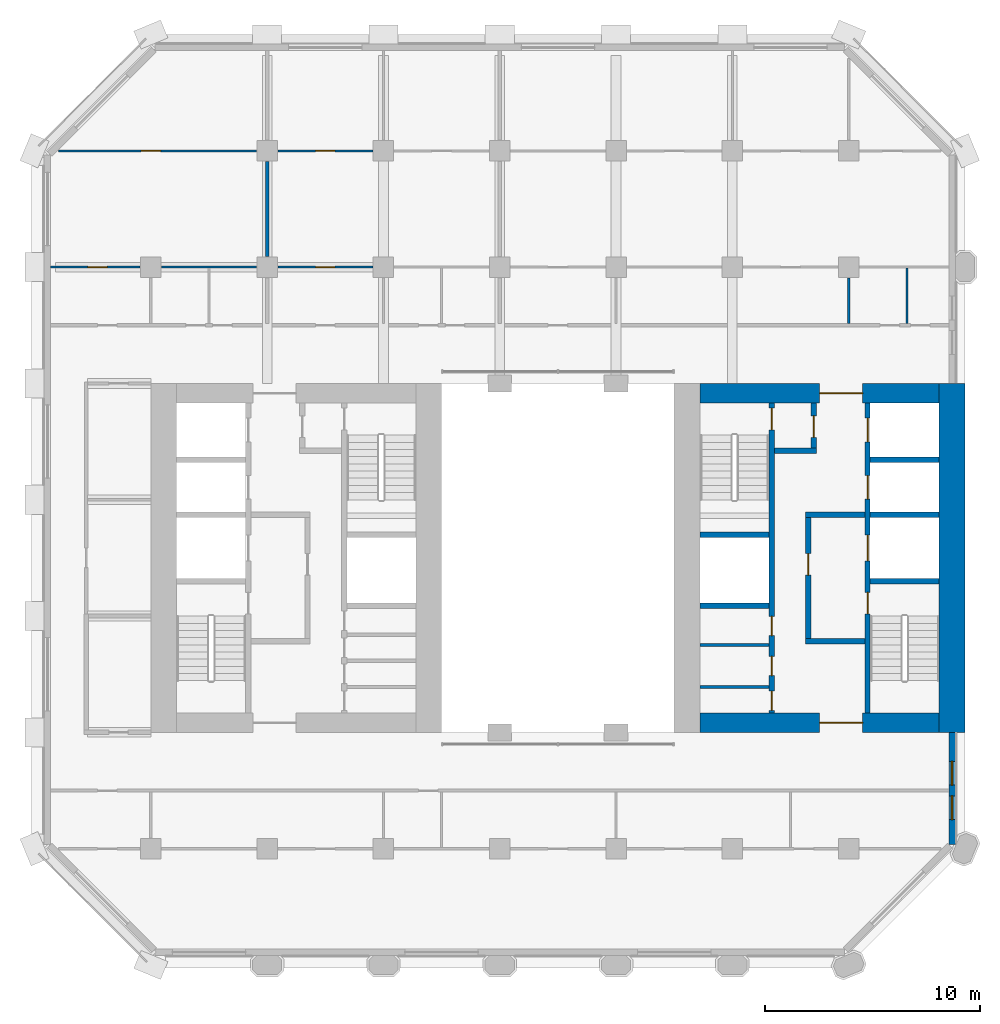
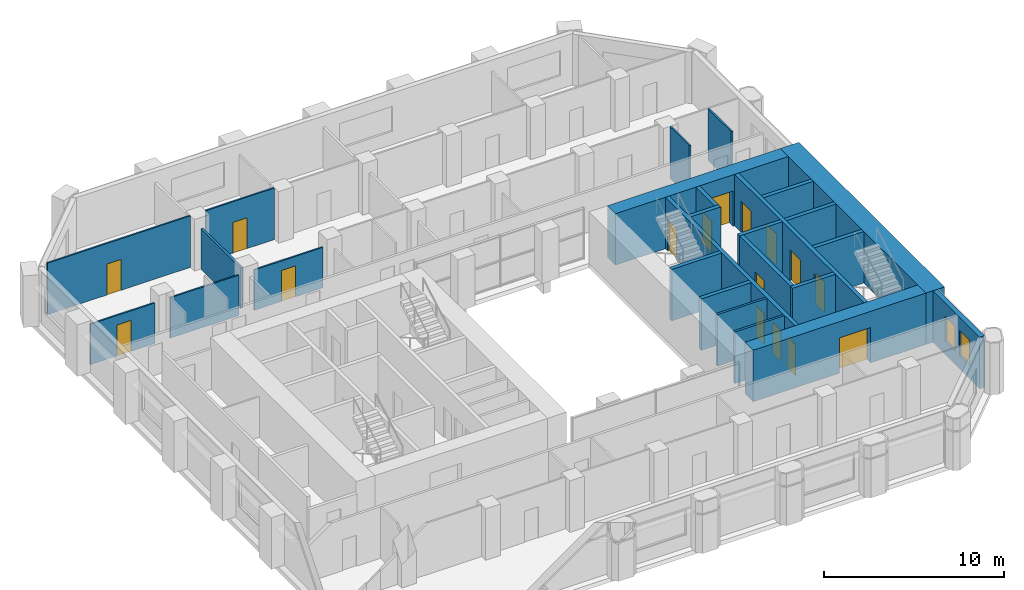
# One storey, part 8 of 13: 26 walls, 16 doors, 2 windows, 18 openings.
"""IFC4 building model written with IfcOpenShell, lengths in metres."""

from ifc_helpers import new_model, si_unit, direction, frame, frame_2d, origin, place, context, subcontext, project, spatial, rectangle, extrude, material, layer, layer_set, type_object, element, fill, save


model = new_model("IFC4")

# Units and contexts
model_context = context("Model", 3, precision=1e-05, world=origin(), true_north=direction((0.0, 1.0)))
body_context = subcontext(model_context, "Body", "Model", "MODEL_VIEW")
ifc_project = project(units=[si_unit("LENGTHUNIT", "METRE"), si_unit("AREAUNIT", "SQUARE_METRE"), si_unit("VOLUMEUNIT", "CUBIC_METRE"), si_unit("PLANEANGLEUNIT", "RADIAN"), si_unit("MASSUNIT", "GRAM", prefix="KILO")], contexts=[model_context])

# Site, building, storey
site_placement = place(None, origin())
site = spatial("IfcSite", under=ifc_project, at=site_placement, CompositionType="ELEMENT")
building_placement = place(site_placement, origin())
building = spatial("IfcBuilding", under=site, at=building_placement, Name="Tabaq Tower and Sports Hall", CompositionType="ELEMENT")
storey_placement = place(building_placement, frame((0.0, 0.0, 103.0)))
storey = spatial("IfcBuildingStorey", under=building, at=storey_placement, Name="L24", CompositionType="ELEMENT", Elevation=103.0)

# Walls
ifc_material_1 = material(Name="Blockwork", Category="masonry")
ifc_layer_1 = layer(ifc_material_1, 0.14990234375)
ifc_layer_set_1 = layer_set([ifc_layer_1], Name="Core room partition 150 Blockwork")
wall_type_1 = type_object("IfcWallType", Name="Core room partition 150 Blockwork", PredefinedType="PARTITIONING", material=ifc_layer_set_1)
for number, where, z_axis, x_axis, name in (
    (1, (30.89990234375, 18.31201171875, 0.0), (0.0, 0.0, 1.0), (1.0, 0.0, 0.0), "Core room partition E L24"),
    (2, (30.89990234375, 20.251953125, 0.0), (0.0, 0.0, 1.0), (1.0, 0.0, 0.0), "Core room partition E L24"),
):
    element("IfcWall", number, at=place(storey_placement, frame(where, z_axis=z_axis, x_axis=x_axis)), inside=storey, type_object=wall_type_1, Name=name, PredefinedType="PARTITIONING", context=body_context, shape_type="SweptSolid", body=[
        extrude(rectangle(XDim=3.2001953125, YDim=0.14990234375, at=frame_2d((1.60009765625, 0.0))), origin(), (0.0, 0.0, 1.0), 3.5),
    ])
ifc_material_2 = material(Name="Concrete C60/75", Category="concrete")
ifc_layer_2 = layer(ifc_material_2, 1.199951171875)
ifc_layer_set_2 = layer_set([ifc_layer_2], Name="Core wall 1200 Concrete C60/75")
wall_type_2 = type_object("IfcWallType", Name="Core wall 1200 Concrete C60/75", PredefinedType="SOLIDWALL", material=ifc_layer_set_2)
wall_1_placement = place(storey_placement, frame((42.60009765625, 32.39990234375, 0.0), z_axis=(0.0, 0.0, 1.0), x_axis=(0.0, -1.0, 0.0)))
element("IfcWall", 3, at=wall_1_placement, inside=storey, type_object=wall_type_2, Name="Core wall E L24", PredefinedType="SOLIDWALL", context=body_context, shape_type="SweptSolid", body=[
    extrude(rectangle(XDim=16.199951171875, YDim=1.199951171875, at=frame_2d((8.10009765625, 0.0))), origin(), (0.0, 0.0, 1.0), 3.5),
])

# Wall, opening, door
ifc_material_3 = material(Name="Concrete C60/75", Category="concrete")
ifc_layer_3 = layer(ifc_material_3, 0.89990234375)
ifc_layer_set_3 = layer_set([ifc_layer_3], Name="Core wall 900 Concrete C60/75")
wall_type_3 = type_object("IfcWallType", Name="Core wall 900 Concrete C60/75", PredefinedType="SOLIDWALL", material=ifc_layer_set_3)
wall_2_placement = place(storey_placement, frame((42.0, 16.64990234375, 0.0), z_axis=(0.0, 0.0, 1.0), x_axis=(-1.0, 0.0, 0.0)))
wall_2 = element("IfcWall", 4, at=wall_2_placement, inside=storey, type_object=wall_type_3, Name="Core wall E L24", PredefinedType="SOLIDWALL", context=body_context, shape_type="SweptSolid", body=[
    extrude(rectangle(XDim=11.10009765625, YDim=0.89990234375, at=frame_2d((5.550048828125, 0.0))), origin(), (0.0, 0.0, 1.0), 3.5),
])
opening_1_placement = place(wall_2_placement, frame((3.550048828125, 0.0, 0.0)))
opening_1 = element("IfcOpeningElement", 5, at=opening_1_placement, cuts=wall_2, Name="Opening PD-EL24-01", PredefinedType="OPENING", context=body_context, shape_type="SweptSolid", body=[
    extrude(rectangle(XDim=2.0, YDim=2.39990234375, at=frame_2d((1.0, 1.199951171875))), frame((0.0, 0.449951171875, 0.0), z_axis=(0.0, -1.0, 0.0), x_axis=(1.0, 0.0, 0.0)), (0.0, 0.0, 1.0), 0.89990234375),
])
ifc_material_4 = material(Name="Steel fire door", Category="steel")
door_type_1 = type_object("IfcDoorType", Name="Core entrance door 2000", OperationType="DOUBLE_DOOR_SINGLE_SWING", PredefinedType="DOOR", material=ifc_material_4)
door_1_placement = place(opening_1_placement, origin())
door_1 = element("IfcDoor", 6, at=door_1_placement, inside=storey, type_object=door_type_1, Name="Core entrance south E L24", OperationType="DOUBLE_DOOR_SINGLE_SWING", OverallHeight=2.39990234375, OverallWidth=2.0, PredefinedType="DOOR", context=body_context, shape_type="SweptSolid", body=[
    extrude(rectangle(XDim=2.0, YDim=2.39990234375, at=frame_2d((1.0, 1.199951171875))), frame((0.0, 0.02490234375, 0.0), z_axis=(0.0, -1.0, 0.0), x_axis=(1.0, 0.0, 0.0)), (0.0, 0.0, 1.0), 0.050048828125),
])
fill(opening_1, door_1)

wall_3_placement = place(storey_placement, frame((30.89990234375, 31.949951171875, 0.0), z_axis=(0.0, 0.0, 1.0), x_axis=(1.0, 0.0, 0.0)))
wall_3 = element("IfcWall", 7, at=wall_3_placement, inside=storey, type_object=wall_type_3, Name="Core wall E L24", PredefinedType="SOLIDWALL", context=body_context, shape_type="SweptSolid", body=[
    extrude(rectangle(XDim=11.10009765625, YDim=0.89990234375, at=frame_2d((5.550048828125, 0.0))), origin(), (0.0, 0.0, 1.0), 3.5),
])
opening_2_placement = place(wall_3_placement, frame((5.550048828125, 0.0, 0.0)))
opening_2 = element("IfcOpeningElement", 8, at=opening_2_placement, cuts=wall_3, Name="Opening PD-EL24-02", PredefinedType="OPENING", context=body_context, shape_type="SweptSolid", body=[
    extrude(rectangle(XDim=2.0, YDim=2.39990234375, at=frame_2d((1.0, 1.199951171875))), frame((0.0, 0.449951171875, 0.0), z_axis=(0.0, -1.0, 0.0), x_axis=(1.0, 0.0, 0.0)), (0.0, 0.0, 1.0), 0.89990234375),
])
door_2_placement = place(opening_2_placement, origin())
door_2 = element("IfcDoor", 9, at=door_2_placement, inside=storey, type_object=door_type_1, Name="Core entrance north E L24", OperationType="DOUBLE_DOOR_SINGLE_SWING", OverallHeight=2.39990234375, OverallWidth=2.0, PredefinedType="DOOR", context=body_context, shape_type="SweptSolid", body=[
    extrude(rectangle(XDim=2.0, YDim=2.39990234375, at=frame_2d((1.0, 1.199951171875))), frame((0.0, 0.02490234375, 0.0), z_axis=(0.0, -1.0, 0.0), x_axis=(1.0, 0.0, 0.0)), (0.0, 0.0, 1.0), 0.050048828125),
])
fill(opening_2, door_2)

ifc_material_5 = material(Name="Gypsum board on steel studs", Category="steel")
ifc_layer_4 = layer(ifc_material_5, 0.10009765625)
ifc_layer_set_4 = layer_set([ifc_layer_4], Name="Partition 100 Gypsum board")
wall_type_4 = type_object("IfcWallType", Name="Partition 100 Gypsum board", PredefinedType="PARTITIONING", material=ifc_layer_set_4)
wall_4_placement = place(storey_placement, frame((4.905029296875, 37.800048828125, 0.0), z_axis=(0.0, 0.0, 1.0), x_axis=(-1.0, 0.0, 0.0)))
wall_4 = element("IfcWall", 10, at=wall_4_placement, inside=storey, type_object=wall_type_4, Name="Partition wall L24", PredefinedType="PARTITIONING", context=body_context, shape_type="SweptSolid", body=[
    extrude(rectangle(XDim=4.154052734375, YDim=0.10009765625, at=frame_2d((2.0771484375, 0.0))), origin(), (0.0, 0.0, 1.0), 2.75),
])
opening_3_placement = place(wall_4_placement, frame((1.530029296875, 0.0, 0.0)))
opening_3 = element("IfcOpeningElement", 11, at=opening_3_placement, cuts=wall_4, Name="Opening L24-026", PredefinedType="OPENING", context=body_context, shape_type="SweptSolid", body=[
    extrude(rectangle(XDim=0.89990234375, YDim=2.10009765625, at=frame_2d((0.449951171875, 1.050048828125))), frame((0.0, 0.050048828125, 0.0), z_axis=(0.0, -1.0, 0.0), x_axis=(1.0, 0.0, 0.0)), (0.0, 0.0, 1.0), 0.10009765625),
])
ifc_material_6 = material(Name="Timber leaf in steel frame", Category="steel")
door_type_2 = type_object("IfcDoorType", Name="Internal door 900 right hand", OperationType="SINGLE_SWING_RIGHT", PredefinedType="DOOR", material=ifc_material_6)
door_3_placement = place(opening_3_placement, origin())
door_3 = element("IfcDoor", 12, at=door_3_placement, inside=storey, type_object=door_type_2, Name="Internal door L24-026", OperationType="SINGLE_SWING_RIGHT", OverallHeight=2.10009765625, OverallWidth=0.89990234375, PredefinedType="DOOR", context=body_context, shape_type="SweptSolid", body=[
    extrude(rectangle(XDim=0.89990234375, YDim=2.10009765625, at=frame_2d((0.449951171875, 1.050048828125))), frame((0.0, 0.02490234375, 0.0), z_axis=(0.0, -1.0, 0.0), x_axis=(1.0, 0.0, 0.0)), (0.0, 0.0, 1.0), 0.050048828125),
])
fill(opening_3, door_3)

# Wall
wall_5_placement = place(storey_placement, frame((10.304931640625, 37.800048828125, 0.0), z_axis=(0.0, 0.0, 1.0), x_axis=(-1.0, 0.0, 0.0)))
element("IfcWall", 13, at=wall_5_placement, inside=storey, type_object=wall_type_4, Name="Partition wall L24", PredefinedType="PARTITIONING", context=body_context, shape_type="SweptSolid", body=[
    extrude(rectangle(XDim=4.409912109375, YDim=0.10009765625, at=frame_2d((2.205078125, 0.0))), origin(), (0.0, 0.0, 1.0), 2.75),
])

# Wall, opening, door
wall_6_placement = place(storey_placement, frame((10.304931640625, 43.199951171875, 0.0), z_axis=(0.0, 0.0, 1.0), x_axis=(-1.0, 0.0, 0.0)))
wall_6 = element("IfcWall", 14, at=wall_6_placement, inside=storey, type_object=wall_type_4, Name="Partition wall L24", PredefinedType="PARTITIONING", context=body_context, shape_type="SweptSolid", body=[
    extrude(rectangle(XDim=9.19287109375, YDim=0.10009765625, at=frame_2d((4.596435546875, 0.0))), origin(), (0.0, 0.0, 1.0), 3.5),
])
opening_4_placement = place(wall_6_placement, frame((4.455078125, 0.0, 0.0)))
opening_4 = element("IfcOpeningElement", 15, at=opening_4_placement, cuts=wall_6, Name="Opening L24-011", PredefinedType="OPENING", context=body_context, shape_type="SweptSolid", body=[
    extrude(rectangle(XDim=0.89990234375, YDim=2.10009765625, at=frame_2d((0.449951171875, 1.050048828125))), frame((0.0, 0.050048828125, 0.0), z_axis=(0.0, -1.0, 0.0), x_axis=(1.0, 0.0, 0.0)), (0.0, 0.0, 1.0), 0.10009765625),
])
ifc_material_7 = material(Name="Timber leaf in steel frame", Category="steel")
door_type_3 = type_object("IfcDoorType", Name="Internal door 900 left hand", OperationType="SINGLE_SWING_LEFT", PredefinedType="DOOR", material=ifc_material_7)
door_4_placement = place(opening_4_placement, origin())
door_4 = element("IfcDoor", 16, at=door_4_placement, inside=storey, type_object=door_type_3, Name="Internal door L24-011", OperationType="SINGLE_SWING_LEFT", OverallHeight=2.10009765625, OverallWidth=0.89990234375, PredefinedType="DOOR", context=body_context, shape_type="SweptSolid", body=[
    extrude(rectangle(XDim=0.89990234375, YDim=2.10009765625, at=frame_2d((0.449951171875, 1.050048828125))), frame((0.0, 0.02490234375, 0.0), z_axis=(0.0, -1.0, 0.0), x_axis=(1.0, 0.0, 0.0)), (0.0, 0.0, 1.0), 0.050048828125),
])
fill(opening_4, door_4)

wall_7_placement = place(storey_placement, frame((15.705078125, 37.800048828125, 0.0), z_axis=(0.0, 0.0, 1.0), x_axis=(-1.0, 0.0, 0.0)))
wall_7 = element("IfcWall", 17, at=wall_7_placement, inside=storey, type_object=wall_type_4, Name="Partition wall L24", PredefinedType="PARTITIONING", context=body_context, shape_type="SweptSolid", body=[
    extrude(rectangle(XDim=4.41015625, YDim=0.10009765625, at=frame_2d((2.205078125, 0.0))), origin(), (0.0, 0.0, 1.0), 2.75),
])
opening_5_placement = place(wall_7_placement, frame((1.7548828125, 0.0, 0.0)))
opening_5 = element("IfcOpeningElement", 18, at=opening_5_placement, cuts=wall_7, Name="Opening L24-027", PredefinedType="OPENING", context=body_context, shape_type="SweptSolid", body=[
    extrude(rectangle(XDim=0.89990234375, YDim=2.10009765625, at=frame_2d((0.449951171875, 1.050048828125))), frame((0.0, 0.050048828125, 0.0), z_axis=(0.0, -1.0, 0.0), x_axis=(1.0, 0.0, 0.0)), (0.0, 0.0, 1.0), 0.10009765625),
])
door_5_placement = place(opening_5_placement, origin())
door_5 = element("IfcDoor", 19, at=door_5_placement, inside=storey, type_object=door_type_3, Name="Internal door L24-027", OperationType="SINGLE_SWING_LEFT", OverallHeight=2.10009765625, OverallWidth=0.89990234375, PredefinedType="DOOR", context=body_context, shape_type="SweptSolid", body=[
    extrude(rectangle(XDim=0.89990234375, YDim=2.10009765625, at=frame_2d((0.449951171875, 1.050048828125))), frame((0.0, 0.02490234375, 0.0), z_axis=(0.0, -1.0, 0.0), x_axis=(1.0, 0.0, 0.0)), (0.0, 0.0, 1.0), 0.050048828125),
])
fill(opening_5, door_5)

wall_8_placement = place(storey_placement, frame((15.705078125, 43.199951171875, 0.0), z_axis=(0.0, 0.0, 1.0), x_axis=(-1.0, 0.0, 0.0)))
wall_8 = element("IfcWall", 20, at=wall_8_placement, inside=storey, type_object=wall_type_4, Name="Partition wall L24", PredefinedType="PARTITIONING", context=body_context, shape_type="SweptSolid", body=[
    extrude(rectangle(XDim=4.41015625, YDim=0.10009765625, at=frame_2d((2.205078125, 0.0))), origin(), (0.0, 0.0, 1.0), 3.5),
])
opening_6_placement = place(wall_8_placement, frame((1.7548828125, 0.0, 0.0)))
opening_6 = element("IfcOpeningElement", 21, at=opening_6_placement, cuts=wall_8, Name="Opening L24-012", PredefinedType="OPENING", context=body_context, shape_type="SweptSolid", body=[
    extrude(rectangle(XDim=0.89990234375, YDim=2.10009765625, at=frame_2d((0.449951171875, 1.050048828125))), frame((0.0, 0.050048828125, 0.0), z_axis=(0.0, -1.0, 0.0), x_axis=(1.0, 0.0, 0.0)), (0.0, 0.0, 1.0), 0.10009765625),
])
door_6_placement = place(opening_6_placement, origin())
door_6 = element("IfcDoor", 22, at=door_6_placement, inside=storey, type_object=door_type_2, Name="Internal door L24-012", OperationType="SINGLE_SWING_RIGHT", OverallHeight=2.10009765625, OverallWidth=0.89990234375, PredefinedType="DOOR", context=body_context, shape_type="SweptSolid", body=[
    extrude(rectangle(XDim=0.89990234375, YDim=2.10009765625, at=frame_2d((0.449951171875, 1.050048828125))), frame((0.0, 0.02490234375, 0.0), z_axis=(0.0, -1.0, 0.0), x_axis=(1.0, 0.0, 0.0)), (0.0, 0.0, 1.0), 0.050048828125),
])
fill(opening_6, door_6)

# Walls
wall_9_placement = place(storey_placement, frame((37.800048828125, 35.175048828125, 0.0), z_axis=(0.0, 0.0, 1.0), x_axis=(0.0, 1.0, 0.0)))
element("IfcWall", 23, at=wall_9_placement, inside=storey, type_object=wall_type_4, Name="Partition wall L24", PredefinedType="PARTITIONING", context=body_context, shape_type="SweptSolid", body=[
    extrude(rectangle(XDim=2.1298828125, YDim=0.10009765625, at=frame_2d((1.06494140625, 0.0))), origin(), (0.0, 0.0, 1.0), 3.5),
])
wall_10_placement = place(storey_placement, frame((40.5, 35.175048828125, 0.0), z_axis=(0.0, 0.0, 1.0), x_axis=(0.0, 1.0, 0.0)))
element("IfcWall", 24, at=wall_10_placement, inside=storey, type_object=wall_type_4, Name="Partition wall L24", PredefinedType="PARTITIONING", context=body_context, shape_type="SweptSolid", body=[
    extrude(rectangle(XDim=2.574951171875, YDim=0.10009765625, at=frame_2d((1.28759765625, 0.0))), origin(), (0.0, 0.0, 1.0), 3.5),
])
ifc_material_8 = material(Name="Blockwork", Category="masonry")
ifc_layer_5 = layer(ifc_material_8, 0.14990234375)
ifc_layer_set_5 = layer_set([ifc_layer_5], Name="Separating wall 150 Blockwork")
wall_type_5 = type_object("IfcWallType", Name="Separating wall 150 Blockwork", PredefinedType="PARTITIONING", material=ifc_layer_set_5)
wall_11_placement = place(storey_placement, frame((10.800048828125, 38.294921875, 0.0), z_axis=(0.0, 0.0, 1.0), x_axis=(0.0, 1.0, 0.0)))
element("IfcWall", 25, at=wall_11_placement, inside=storey, type_object=wall_type_5, Name="Separating wall L24", PredefinedType="PARTITIONING", context=body_context, shape_type="SweptSolid", body=[
    extrude(rectangle(XDim=4.41015625, YDim=0.14990234375, at=frame_2d((2.205078125, 0.0))), origin(), (0.0, 0.0, 1.0), 2.75),
])

# Wall, openings, doors
ifc_material_9 = material(Name="Concrete C40/50", Category="concrete")
ifc_layer_6 = layer(ifc_material_9, 0.25)
ifc_layer_set_6 = layer_set([ifc_layer_6], Name="Shaft and stair wall 250 Concrete C40/50")
wall_type_6 = type_object("IfcWallType", Name="Shaft and stair wall 250 Concrete C40/50", PredefinedType="SOLIDWALL", material=ifc_layer_set_6)
wall_12_placement = place(storey_placement, frame((38.675048828125, 17.10009765625, 0.0), z_axis=(0.0, 0.0, 1.0), x_axis=(0.0, 1.0, 0.0)))
wall_12 = element("IfcWall", 26, at=wall_12_placement, inside=storey, type_object=wall_type_6, Name="Shaft wall E L24", PredefinedType="SOLIDWALL", context=body_context, shape_type="SweptSolid", body=[
    extrude(rectangle(XDim=14.39990234375, YDim=0.25, at=frame_2d((7.199951171875, 0.0))), origin(), (0.0, 0.0, 1.0), 3.5),
])
opening_7_placement = place(wall_12_placement, frame((4.60009765625, 0.0, 0.0)))
opening_7 = element("IfcOpeningElement", 27, at=opening_7_placement, cuts=wall_12, Name="Opening SD-EL24-03", PredefinedType="OPENING", context=body_context, shape_type="SweptSolid", body=[
    extrude(rectangle(XDim=1.0, YDim=2.10009765625, at=frame_2d((0.5, 1.050048828125))), frame((0.0, 0.125, 0.0), z_axis=(0.0, -1.0, 0.0), x_axis=(1.0, 0.0, 0.0)), (0.0, 0.0, 1.0), 0.25),
])
opening_8_placement = place(wall_12_placement, frame((7.0625, 0.0, 0.0)))
opening_8 = element("IfcOpeningElement", 28, at=opening_8_placement, cuts=wall_12, Name="Opening LD-FF2-L24", PredefinedType="OPENING", context=body_context, shape_type="SweptSolid", body=[
    extrude(rectangle(XDim=1.199951171875, YDim=2.10009765625, at=frame_2d((0.60009765625, 1.050048828125))), frame((0.0, 0.125, 0.0), z_axis=(0.0, -1.0, 0.0), x_axis=(1.0, 0.0, 0.0)), (0.0, 0.0, 1.0), 0.25),
])
opening_9_placement = place(wall_12_placement, frame((9.925048828125, 0.0, 0.0)))
opening_9 = element("IfcOpeningElement", 29, at=opening_9_placement, cuts=wall_12, Name="Opening LD-LR3-L24", PredefinedType="OPENING", context=body_context, shape_type="SweptSolid", body=[
    extrude(rectangle(XDim=1.10009765625, YDim=2.10009765625, at=frame_2d((0.550048828125, 1.050048828125))), frame((0.0, 0.125, 0.0), z_axis=(0.0, -1.0, 0.0), x_axis=(1.0, 0.0, 0.0)), (0.0, 0.0, 1.0), 0.25),
])
opening_10_placement = place(wall_12_placement, frame((12.58740234375, 0.0, 0.0)))
opening_10 = element("IfcOpeningElement", 30, at=opening_10_placement, cuts=wall_12, Name="Opening LD-LR4-L24", PredefinedType="OPENING", context=body_context, shape_type="SweptSolid", body=[
    extrude(rectangle(XDim=1.10009765625, YDim=2.10009765625, at=frame_2d((0.550048828125, 1.050048828125))), frame((0.0, 0.125, 0.0), z_axis=(0.0, -1.0, 0.0), x_axis=(1.0, 0.0, 0.0)), (0.0, 0.0, 1.0), 0.25),
])
ifc_material_10 = material(Name="Stainless steel", Category="steel")
door_type_4 = type_object("IfcDoorType", Name="Lift landing door 1100", OperationType="DOUBLE_DOOR_SLIDING", PredefinedType="DOOR", material=ifc_material_10)
door_7_placement = place(opening_9_placement, origin())
door_7 = element("IfcDoor", 31, at=door_7_placement, inside=storey, type_object=door_type_4, Name="Lift landing door LR3 E L24", OperationType="DOUBLE_DOOR_SLIDING", OverallHeight=2.10009765625, OverallWidth=1.10009765625, PredefinedType="DOOR", context=body_context, shape_type="SweptSolid", body=[
    extrude(rectangle(XDim=1.10009765625, YDim=2.10009765625, at=frame_2d((0.550048828125, 1.050048828125))), frame((0.0, 0.02490234375, 0.0), z_axis=(0.0, -1.0, 0.0), x_axis=(1.0, 0.0, 0.0)), (0.0, 0.0, 1.0), 0.050048828125),
])
fill(opening_9, door_7)
door_8_placement = place(opening_10_placement, origin())
door_8 = element("IfcDoor", 32, at=door_8_placement, inside=storey, type_object=door_type_4, Name="Lift landing door LR4 E L24", OperationType="DOUBLE_DOOR_SLIDING", OverallHeight=2.10009765625, OverallWidth=1.10009765625, PredefinedType="DOOR", context=body_context, shape_type="SweptSolid", body=[
    extrude(rectangle(XDim=1.10009765625, YDim=2.10009765625, at=frame_2d((0.550048828125, 1.050048828125))), frame((0.0, 0.02490234375, 0.0), z_axis=(0.0, -1.0, 0.0), x_axis=(1.0, 0.0, 0.0)), (0.0, 0.0, 1.0), 0.050048828125),
])
fill(opening_10, door_8)
ifc_material_11 = material(Name="Stainless steel", Category="steel")
door_type_5 = type_object("IfcDoorType", Name="Lift landing door 1200", OperationType="DOUBLE_DOOR_SLIDING", PredefinedType="DOOR", material=ifc_material_11)
door_9_placement = place(opening_8_placement, origin())
door_9 = element("IfcDoor", 33, at=door_9_placement, inside=storey, type_object=door_type_5, Name="Lift landing door FF2 E L24", OperationType="DOUBLE_DOOR_SLIDING", OverallHeight=2.10009765625, OverallWidth=1.199951171875, PredefinedType="DOOR", context=body_context, shape_type="SweptSolid", body=[
    extrude(rectangle(XDim=1.199951171875, YDim=2.10009765625, at=frame_2d((0.60009765625, 1.050048828125))), frame((0.0, 0.02490234375, 0.0), z_axis=(0.0, -1.0, 0.0), x_axis=(1.0, 0.0, 0.0)), (0.0, 0.0, 1.0), 0.050048828125),
])
fill(opening_8, door_9)
ifc_material_12 = material(Name="Steel fire door", Category="steel")
door_type_6 = type_object("IfcDoorType", Name="Stair door 1000", OperationType="SINGLE_SWING_LEFT", PredefinedType="DOOR", material=ifc_material_12)
door_10_placement = place(opening_7_placement, origin())
door_10 = element("IfcDoor", 34, at=door_10_placement, inside=storey, type_object=door_type_6, Name="Stair door ST3 E L24", OperationType="SINGLE_SWING_LEFT", OverallHeight=2.10009765625, OverallWidth=1.0, PredefinedType="DOOR", context=body_context, shape_type="SweptSolid", body=[
    extrude(rectangle(XDim=1.0, YDim=2.10009765625, at=frame_2d((0.5, 1.050048828125))), frame((0.0, 0.02490234375, 0.0), z_axis=(0.0, -1.0, 0.0), x_axis=(1.0, 0.0, 0.0)), (0.0, 0.0, 1.0), 0.050048828125),
])
fill(opening_7, door_10)

wall_13_placement = place(storey_placement, frame((34.22509765625, 17.10009765625, 0.0), z_axis=(0.0, 0.0, 1.0), x_axis=(0.0, 1.0, 0.0)))
wall_13 = element("IfcWall", 35, at=wall_13_placement, inside=storey, type_object=wall_type_6, Name="Shaft wall E L24", PredefinedType="SOLIDWALL", context=body_context, shape_type="SweptSolid", body=[
    extrude(rectangle(XDim=14.39990234375, YDim=0.25, at=frame_2d((7.199951171875, 0.0))), origin(), (0.0, 0.0, 1.0), 3.5),
])
opening_11_placement = place(wall_13_placement, frame((13.14990234375, 0.0, 0.0)))
opening_11 = element("IfcOpeningElement", 36, at=opening_11_placement, cuts=wall_13, Name="Opening SD-EL24-05", PredefinedType="OPENING", context=body_context, shape_type="SweptSolid", body=[
    extrude(rectangle(XDim=1.0, YDim=2.10009765625, at=frame_2d((0.5, 1.050048828125))), frame((0.0, 0.125, 0.0), z_axis=(0.0, -1.0, 0.0), x_axis=(1.0, 0.0, 0.0)), (0.0, 0.0, 1.0), 0.25),
])
opening_12_placement = place(wall_13_placement, frame((0.118408203125, 0.0, 0.0)))
opening_12 = element("IfcOpeningElement", 37, at=opening_12_placement, cuts=wall_13, Name="Opening RD-EL24-10", PredefinedType="OPENING", context=body_context, shape_type="SweptSolid", body=[
    extrude(rectangle(XDim=0.89990234375, YDim=2.10009765625, at=frame_2d((0.449951171875, 1.050048828125))), frame((0.0, 0.125, 0.0), z_axis=(0.0, -1.0, 0.0), x_axis=(1.0, 0.0, 0.0)), (0.0, 0.0, 1.0), 0.25),
])
opening_13_placement = place(wall_13_placement, frame((1.73193359375, 0.0, 0.0)))
opening_13 = element("IfcOpeningElement", 38, at=opening_13_placement, cuts=wall_13, Name="Opening RD-EL24-11", PredefinedType="OPENING", context=body_context, shape_type="SweptSolid", body=[
    extrude(rectangle(XDim=0.89990234375, YDim=2.10009765625, at=frame_2d((0.449951171875, 1.050048828125))), frame((0.0, 0.125, 0.0), z_axis=(0.0, -1.0, 0.0), x_axis=(1.0, 0.0, 0.0)), (0.0, 0.0, 1.0), 0.25),
])
opening_14_placement = place(wall_13_placement, frame((3.58837890625, 0.0, 0.0)))
opening_14 = element("IfcOpeningElement", 39, at=opening_14_placement, cuts=wall_13, Name="Opening RD-EL24-12", PredefinedType="OPENING", context=body_context, shape_type="SweptSolid", body=[
    extrude(rectangle(XDim=0.89990234375, YDim=2.10009765625, at=frame_2d((0.449951171875, 1.050048828125))), frame((0.0, 0.125, 0.0), z_axis=(0.0, -1.0, 0.0), x_axis=(1.0, 0.0, 0.0)), (0.0, 0.0, 1.0), 0.25),
])
ifc_material_13 = material(Name="Steel fire door", Category="steel")
door_type_7 = type_object("IfcDoorType", Name="Core room door 900", OperationType="SINGLE_SWING_LEFT", PredefinedType="DOOR", material=ifc_material_13)
door_11_placement = place(opening_12_placement, origin())
door_11 = element("IfcDoor", 40, at=door_11_placement, inside=storey, type_object=door_type_7, Name="Door Electrical Riser Room E L24", OperationType="SINGLE_SWING_LEFT", OverallHeight=2.10009765625, OverallWidth=0.89990234375, PredefinedType="DOOR", context=body_context, shape_type="SweptSolid", body=[
    extrude(rectangle(XDim=0.89990234375, YDim=2.10009765625, at=frame_2d((0.449951171875, 1.050048828125))), frame((0.0, 0.02490234375, 0.0), z_axis=(0.0, -1.0, 0.0), x_axis=(1.0, 0.0, 0.0)), (0.0, 0.0, 1.0), 0.050048828125),
])
fill(opening_12, door_11)
door_12_placement = place(opening_13_placement, origin())
door_12 = element("IfcDoor", 41, at=door_12_placement, inside=storey, type_object=door_type_7, Name="Door Unisex WC E L24", OperationType="SINGLE_SWING_LEFT", OverallHeight=2.10009765625, OverallWidth=0.89990234375, PredefinedType="DOOR", context=body_context, shape_type="SweptSolid", body=[
    extrude(rectangle(XDim=0.89990234375, YDim=2.10009765625, at=frame_2d((0.449951171875, 1.050048828125))), frame((0.0, 0.02490234375, 0.0), z_axis=(0.0, -1.0, 0.0), x_axis=(1.0, 0.0, 0.0)), (0.0, 0.0, 1.0), 0.050048828125),
])
fill(opening_13, door_12)
door_13_placement = place(opening_14_placement, origin())
door_13 = element("IfcDoor", 42, at=door_13_placement, inside=storey, type_object=door_type_7, Name="Door Accessible WC E L24", OperationType="SINGLE_SWING_LEFT", OverallHeight=2.10009765625, OverallWidth=0.89990234375, PredefinedType="DOOR", context=body_context, shape_type="SweptSolid", body=[
    extrude(rectangle(XDim=0.89990234375, YDim=2.10009765625, at=frame_2d((0.449951171875, 1.050048828125))), frame((0.0, 0.02490234375, 0.0), z_axis=(0.0, -1.0, 0.0), x_axis=(1.0, 0.0, 0.0)), (0.0, 0.0, 1.0), 0.050048828125),
])
fill(opening_14, door_13)
door_14_placement = place(opening_11_placement, origin())
door_14 = element("IfcDoor", 43, at=door_14_placement, inside=storey, type_object=door_type_6, Name="Stair door ST4 E L24", OperationType="SINGLE_SWING_LEFT", OverallHeight=2.10009765625, OverallWidth=1.0, PredefinedType="DOOR", context=body_context, shape_type="SweptSolid", body=[
    extrude(rectangle(XDim=1.0, YDim=2.10009765625, at=frame_2d((0.5, 1.050048828125))), frame((0.0, 0.02490234375, 0.0), z_axis=(0.0, -1.0, 0.0), x_axis=(1.0, 0.0, 0.0)), (0.0, 0.0, 1.0), 0.050048828125),
])
fill(opening_11, door_14)

# Walls
wall_14_placement = place(storey_placement, frame((38.800048828125, 23.22509765625, 0.0), z_axis=(0.0, 0.0, 1.0), x_axis=(1.0, 0.0, 0.0)))
element("IfcWall", 44, at=wall_14_placement, inside=storey, type_object=wall_type_6, Name="Stair enclosure wall E L24", PredefinedType="SOLIDWALL", context=body_context, shape_type="SweptSolid", body=[
    extrude(rectangle(XDim=3.199951171875, YDim=0.25, at=frame_2d((1.60009765625, 0.0))), origin(), (0.0, 0.0, 1.0), 3.5),
])
for number, where, z_axis, x_axis, name in (
    (45, (30.89990234375, 25.375, 0.0), (0.0, 0.0, 1.0), (1.0, 0.0, 0.0), "Stair enclosure wall E L24"),
    (46, (30.89990234375, 22.074951171875, 0.0), (0.0, 0.0, 1.0), (1.0, 0.0, 0.0), "Shaft wall E L24"),
):
    element("IfcWall", number, at=place(storey_placement, frame(where, z_axis=z_axis, x_axis=x_axis)), inside=storey, type_object=wall_type_6, Name=name, PredefinedType="SOLIDWALL", context=body_context, shape_type="SweptSolid", body=[
        extrude(rectangle(XDim=3.2001953125, YDim=0.25, at=frame_2d((1.60009765625, 0.0))), origin(), (0.0, 0.0, 1.0), 3.5),
    ])
wall_15_placement = place(storey_placement, frame((38.800048828125, 26.300048828125, 0.0), z_axis=(0.0, 0.0, 1.0), x_axis=(1.0, 0.0, 0.0)))
element("IfcWall", 47, at=wall_15_placement, inside=storey, type_object=wall_type_6, Name="Shaft wall E L24", PredefinedType="SOLIDWALL", context=body_context, shape_type="SweptSolid", body=[
    extrude(rectangle(XDim=3.199951171875, YDim=0.25, at=frame_2d((1.60009765625, 0.0))), origin(), (0.0, 0.0, 1.0), 3.5),
])
for number, where, z_axis, x_axis, name in (
    (48, (35.800048828125, 26.300048828125, 0.0), (0.0, 0.0, 1.0), (1.0, 0.0, 0.0), "Fire-fighting lobby wall E L24"),
    (49, (35.800048828125, 20.425048828125, 0.0), (0.0, 0.0, 1.0), (1.0, 0.0, 0.0), "Fire-fighting lobby wall E L24"),
):
    element("IfcWall", number, at=place(storey_placement, frame(where, z_axis=z_axis, x_axis=x_axis)), inside=storey, type_object=wall_type_6, Name=name, PredefinedType="SOLIDWALL", context=body_context, shape_type="SweptSolid", body=[
        extrude(rectangle(XDim=2.75, YDim=0.25, at=frame_2d((1.375, 0.0))), origin(), (0.0, 0.0, 1.0), 3.5),
    ])

# Wall, opening, door
wall_16_placement = place(storey_placement, frame((36.175048828125, 29.39990234375, 0.0), z_axis=(0.0, 0.0, 1.0), x_axis=(0.0, 1.0, 0.0)))
wall_16 = element("IfcWall", 50, at=wall_16_placement, inside=storey, type_object=wall_type_6, Name="Fire-fighting lobby wall E L24", PredefinedType="SOLIDWALL", context=body_context, shape_type="SweptSolid", body=[
    extrude(rectangle(XDim=2.10009765625, YDim=0.25, at=frame_2d((1.050048828125, 0.0))), origin(), (0.0, 0.0, 1.0), 3.5),
])
opening_15_placement = place(wall_16_placement, frame((0.5, 0.0, 0.0)))
opening_15 = element("IfcOpeningElement", 51, at=opening_15_placement, cuts=wall_16, Name="Opening FD-EL24-06", PredefinedType="OPENING", context=body_context, shape_type="SweptSolid", body=[
    extrude(rectangle(XDim=1.0, YDim=2.10009765625, at=frame_2d((0.5, 1.050048828125))), frame((0.0, 0.125, 0.0), z_axis=(0.0, -1.0, 0.0), x_axis=(1.0, 0.0, 0.0)), (0.0, 0.0, 1.0), 0.25),
])
ifc_material_14 = material(Name="Steel fire door", Category="steel")
door_type_8 = type_object("IfcDoorType", Name="Fire-fighting lobby door 1000", OperationType="SINGLE_SWING_LEFT", PredefinedType="DOOR", material=ifc_material_14)
door_15_placement = place(opening_15_placement, origin())
door_15 = element("IfcDoor", 52, at=door_15_placement, inside=storey, type_object=door_type_8, Name="Stair lobby door E L24", OperationType="SINGLE_SWING_LEFT", OverallHeight=2.10009765625, OverallWidth=1.0, PredefinedType="DOOR", context=body_context, shape_type="SweptSolid", body=[
    extrude(rectangle(XDim=1.0, YDim=2.10009765625, at=frame_2d((0.5, 1.050048828125))), frame((0.0, 0.02490234375, 0.0), z_axis=(0.0, -1.0, 0.0), x_axis=(1.0, 0.0, 0.0)), (0.0, 0.0, 1.0), 0.050048828125),
])
fill(opening_15, door_15)

# Wall
wall_17_placement = place(storey_placement, frame((34.35009765625, 29.27490234375, 0.0), z_axis=(0.0, 0.0, 1.0), x_axis=(1.0, 0.0, 0.0)))
element("IfcWall", 53, at=wall_17_placement, inside=storey, type_object=wall_type_6, Name="Fire-fighting lobby wall E L24", PredefinedType="SOLIDWALL", context=body_context, shape_type="SweptSolid", body=[
    extrude(rectangle(XDim=1.949951171875, YDim=0.25, at=frame_2d((0.97509765625, 0.0))), origin(), (0.0, 0.0, 1.0), 3.5),
])

# Wall, opening, door
wall_18_placement = place(storey_placement, frame((35.925048828125, 20.550048828125, 0.0), z_axis=(0.0, 0.0, 1.0), x_axis=(0.0, 1.0, 0.0)))
wall_18 = element("IfcWall", 54, at=wall_18_placement, inside=storey, type_object=wall_type_6, Name="Fire-fighting lobby wall E L24", PredefinedType="SOLIDWALL", context=body_context, shape_type="SweptSolid", body=[
    extrude(rectangle(XDim=5.625, YDim=0.25, at=frame_2d((2.8125, 0.0))), origin(), (0.0, 0.0, 1.0), 3.5),
])
opening_16_placement = place(wall_18_placement, frame((2.949951171875, 0.0, 0.0)))
opening_16 = element("IfcOpeningElement", 55, at=opening_16_placement, cuts=wall_18, Name="Opening FD-EL24-04", PredefinedType="OPENING", context=body_context, shape_type="SweptSolid", body=[
    extrude(rectangle(XDim=1.0, YDim=2.10009765625, at=frame_2d((0.5, 1.050048828125))), frame((0.0, 0.125, 0.0), z_axis=(0.0, -1.0, 0.0), x_axis=(1.0, 0.0, 0.0)), (0.0, 0.0, 1.0), 0.25),
])
door_16_placement = place(opening_16_placement, origin())
door_16 = element("IfcDoor", 56, at=door_16_placement, inside=storey, type_object=door_type_8, Name="Fire-fighting lobby door E L24", OperationType="SINGLE_SWING_LEFT", OverallHeight=2.10009765625, OverallWidth=1.0, PredefinedType="DOOR", context=body_context, shape_type="SweptSolid", body=[
    extrude(rectangle(XDim=1.0, YDim=2.10009765625, at=frame_2d((0.5, 1.050048828125))), frame((0.0, 0.02490234375, 0.0), z_axis=(0.0, -1.0, 0.0), x_axis=(1.0, 0.0, 0.0)), (0.0, 0.0, 1.0), 0.050048828125),
])
fill(opening_16, door_16)

# Wall
wall_19_placement = place(storey_placement, frame((38.800048828125, 28.85009765625, 0.0), z_axis=(0.0, 0.0, 1.0), x_axis=(1.0, 0.0, 0.0)))
element("IfcWall", 57, at=wall_19_placement, inside=storey, type_object=wall_type_6, Name="Shaft wall E L24", PredefinedType="SOLIDWALL", context=body_context, shape_type="SweptSolid", body=[
    extrude(rectangle(XDim=3.199951171875, YDim=0.25, at=frame_2d((1.60009765625, 0.0))), origin(), (0.0, 0.0, 1.0), 3.5),
])

# Wall, openings, windows
ifc_material_15 = material(Name="White precast concrete C60/75", Category="concrete")
ifc_layer_7 = layer(ifc_material_15, 0.300048828125)
ifc_layer_set_7 = layer_set([ifc_layer_7], Name="White precast concrete C60/75 external wall 300")
wall_type_7 = type_object("IfcWallType", Name="White precast concrete C60/75 external wall 300", PredefinedType="SOLIDWALL", material=ifc_layer_set_7)
wall_20_placement = place(storey_placement, frame((42.60009765625, 10.986328125, 0.0), z_axis=(0.0, 0.0, 1.0), x_axis=(0.0, 1.0, 0.0)))
wall_20 = element("IfcWall", 58, at=wall_20_placement, inside=storey, type_object=wall_type_7, Name="External Wall L24 E", PredefinedType="SOLIDWALL", context=body_context, shape_type="SweptSolid", body=[
    extrude(rectangle(XDim=5.213623046875, YDim=0.300048828125, at=frame_2d((2.60693359375, 0.0))), origin(), (0.0, 0.0, 1.0), 3.5),
])
opening_17_placement = place(wall_20_placement, frame((1.16357421875, 0.0, 0.89990234375)))
opening_17 = element("IfcOpeningElement", 59, at=opening_17_placement, cuts=wall_20, Name="Opening W1B", PredefinedType="OPENING", context=body_context, shape_type="SweptSolid", body=[
    extrude(rectangle(XDim=1.10009765625, YDim=1.699951171875, at=frame_2d((0.550048828125, 0.85009765625))), frame((0.0, 0.16015625, 0.0), z_axis=(0.0, -1.0, 0.0), x_axis=(1.0, 0.0, 0.0)), (0.0, 0.0, 1.0), 0.320068359375),
])
opening_18_placement = place(wall_20_placement, frame((2.763671875, 0.0, 0.89990234375)))
opening_18 = element("IfcOpeningElement", 60, at=opening_18_placement, cuts=wall_20, Name="Opening W1B", PredefinedType="OPENING", context=body_context, shape_type="SweptSolid", body=[
    extrude(rectangle(XDim=1.10009765625, YDim=1.699951171875, at=frame_2d((0.550048828125, 0.85009765625))), frame((0.0, 0.16015625, 0.0), z_axis=(0.0, -1.0, 0.0), x_axis=(1.0, 0.0, 0.0)), (0.0, 0.0, 1.0), 0.320068359375),
])
ifc_material_16 = material(Name="Aluminium framed clear glazing", Category="aluminium")
window_type = type_object("IfcWindowType", Name="Window W1B", PartitioningType="SINGLE_PANEL", PredefinedType="WINDOW", material=ifc_material_16)
window_1_placement = place(opening_17_placement, origin())
window_1 = element("IfcWindow", 61, at=window_1_placement, inside=storey, type_object=window_type, Name="Window W1B L24", OverallHeight=1.699951171875, OverallWidth=1.10009765625, PartitioningType="SINGLE_PANEL", PredefinedType="WINDOW", context=body_context, shape_type="SweptSolid", body=[
    extrude(rectangle(XDim=1.10009765625, YDim=1.699951171875, at=frame_2d((0.550048828125, 0.85009765625))), frame((0.0, 0.030029296875, 0.0), z_axis=(0.0, -1.0, 0.0), x_axis=(1.0, 0.0, 0.0)), (0.0, 0.0, 1.0), 0.06005859375),
])
fill(opening_17, window_1)
window_2_placement = place(opening_18_placement, origin())
window_2 = element("IfcWindow", 62, at=window_2_placement, inside=storey, type_object=window_type, Name="Window W1B L24", OverallHeight=1.699951171875, OverallWidth=1.10009765625, PartitioningType="SINGLE_PANEL", PredefinedType="WINDOW", context=body_context, shape_type="SweptSolid", body=[
    extrude(rectangle(XDim=1.10009765625, YDim=1.699951171875, at=frame_2d((0.550048828125, 0.85009765625))), frame((0.0, 0.030029296875, 0.0), z_axis=(0.0, -1.0, 0.0), x_axis=(1.0, 0.0, 0.0)), (0.0, 0.0, 1.0), 0.06005859375),
])
fill(opening_18, window_2)

save(model, "model.ifc")
